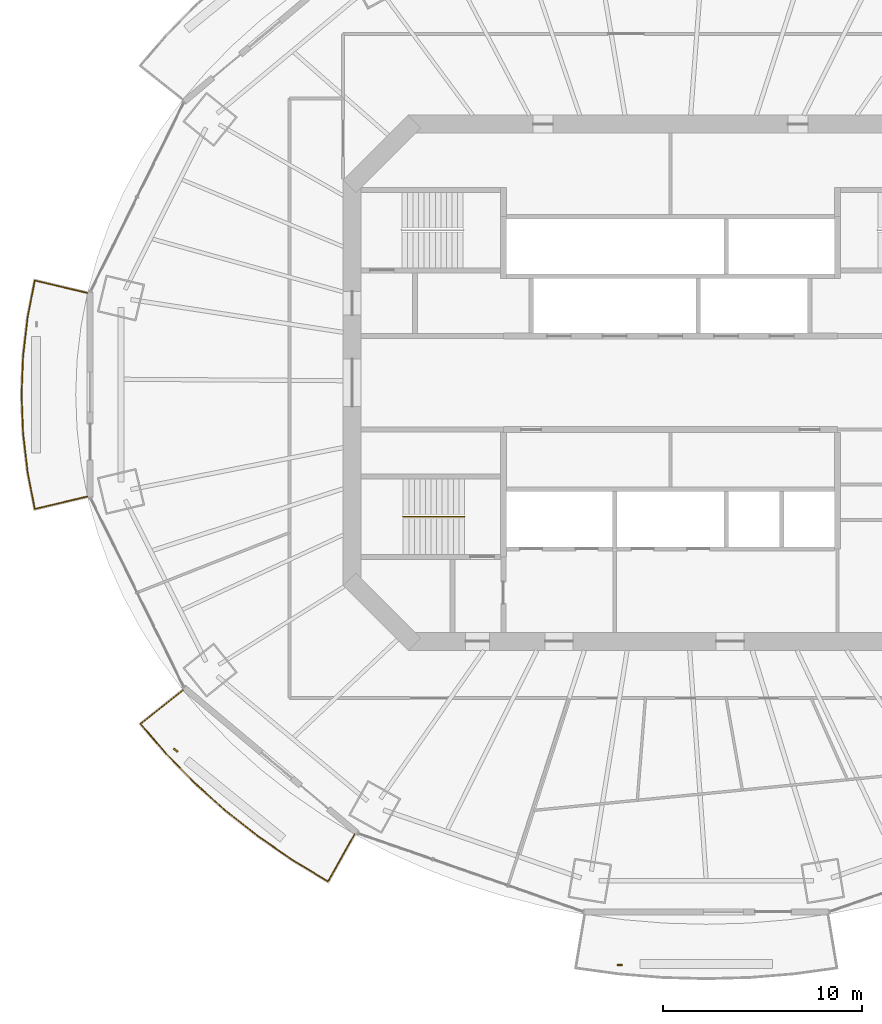
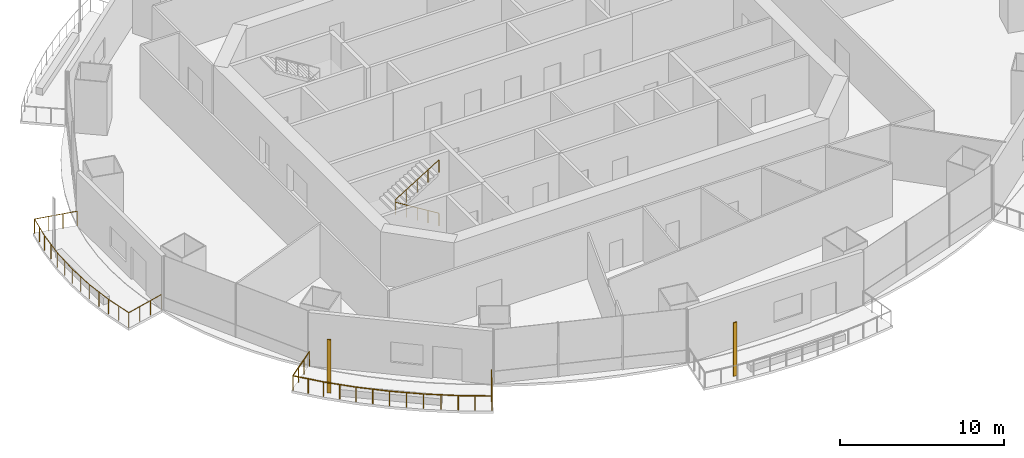
# One storey, part 16 of 21: 3 railings, 2 shading devices.
"""IFC4 building model written with IfcOpenShell, lengths in metres."""

from ifc_helpers import new_model, si_unit, direction, frame, origin, origin_2d, place, context, subcontext, project, spatial, rectangle, circle, extrude, material, material_profile, profile_set, type_object, element, save


model = new_model("IFC4")

# Units and contexts
model_context = context("Model", 3, precision=1e-05, world=origin(), true_north=direction((0.0, 1.0)))
body_context = subcontext(model_context, "Body", "Model", "MODEL_VIEW")
ifc_project = project(units=[si_unit("LENGTHUNIT", "METRE"), si_unit("AREAUNIT", "SQUARE_METRE"), si_unit("VOLUMEUNIT", "CUBIC_METRE"), si_unit("PLANEANGLEUNIT", "RADIAN"), si_unit("MASSUNIT", "GRAM", prefix="KILO")], contexts=[model_context])

# Site, building, storey
site_placement = place(None, origin())
site = spatial("IfcSite", under=ifc_project, at=site_placement, CompositionType="ELEMENT")
building_placement = place(site_placement, origin())
building = spatial("IfcBuilding", under=site, at=building_placement, Name="Marenthal Gate Tower", CompositionType="ELEMENT")
storey_placement = place(building_placement, frame((0.0, 0.0, 198.39990234375)))
storey = spatial("IfcBuildingStorey", under=building, at=storey_placement, Name="L43", CompositionType="ELEMENT", Elevation=198.39990234375)

# Railings
ifc_material_1 = material(Name="Stainless steel", Category="steel")
railing_type_1 = type_object("IfcRailingType", Name="Balcony guard 1100", PredefinedType="GUARDRAIL", material=ifc_material_1)
railing_1_placement = place(storey_placement, frame((-29.301513671875, -5.71435546875, 0.0)))
element("IfcRailing", 1, at=railing_1_placement, inside=storey, type_object=railing_type_1, Name="Balcony guard L43 bay 8", PredefinedType="GUARDRAIL", context=body_context, shape_type="SweptSolid", body=[
    extrude(circle(Radius=0.02392578125, at=origin_2d()), frame((0.0, 0.0, 1.076171875), z_axis=(-0.973008450296, -0.230305293189, -0.014629681524), x_axis=(0.230329942988, -0.973112592336, 0.0)), (0.0, 0.0, 1.0), 2.72021484375),
    extrude(circle(Radius=0.02392578125, at=origin_2d()), frame((-2.646728515625, -0.62646484375, 1.0361328125), z_axis=(-0.191345653043, 0.98152271551, 0.0), x_axis=(-0.98152271551, -0.191345653043, 0.0)), (0.0, 0.0, 1.0), 1.880615234375),
    extrude(circle(Radius=0.02392578125, at=origin_2d()), frame((-3.006591796875, 1.219482421875, 1.0361328125), z_axis=(-0.116457405552, 0.993195687008, 0.0), x_axis=(-0.993195687008, -0.116457405552, 0.0)), (0.0, 0.0, 1.0), 1.9560546875),
    extrude(circle(Radius=0.02392578125, at=origin_2d()), frame((-3.234375, 3.162109375, 1.0361328125), z_axis=(-0.038989839597, 0.999239607105, 0.0), x_axis=(-0.999239607105, -0.038989839597, 0.0)), (0.0, 0.0, 1.0), 1.95361328125),
    extrude(circle(Radius=0.02392578125, at=origin_2d()), frame((-3.310546875, 5.1142578125, 1.0361328125), z_axis=(0.038989839597, 0.999239607105, 0.0), x_axis=(-0.999239607105, 0.038989839597, 0.0)), (0.0, 0.0, 1.0), 1.95361328125),
    extrude(circle(Radius=0.02392578125, at=origin_2d()), frame((-3.234375, 7.06640625, 1.0361328125), z_axis=(0.116442969982, 0.993197379548, 0.0), x_axis=(-0.993197379548, 0.116442969982, 0.0)), (0.0, 0.0, 1.0), 1.956298828125),
    extrude(circle(Radius=0.02392578125, at=origin_2d()), frame((-3.006591796875, 9.00927734375, 1.0361328125), z_axis=(0.191345653043, 0.98152271551, 0.0), x_axis=(-0.98152271551, 0.191345653043, 0.0)), (0.0, 0.0, 1.0), 1.880615234375),
    extrude(circle(Radius=0.02392578125, at=origin_2d()), frame((-2.646728515625, 10.855224609375, 1.0361328125), z_axis=(0.973008450296, -0.230305293189, 0.014629681524), x_axis=(0.230329942988, 0.973112592336, 0.0)), (0.0, 0.0, 1.0), 2.72021484375),
    extrude(circle(Radius=0.02099609375, at=origin_2d()), origin(), (0.0, 0.0, 1.0), 1.052001953125),
    extrude(circle(Radius=0.02099609375, at=origin_2d()), frame((-0.88232421875, -0.208740234375, -0.01318359375)), (0.0, 0.0, 1.0), 1.052001953125),
    extrude(circle(Radius=0.02099609375, at=origin_2d()), frame((-1.764404296875, -0.417724609375, -0.026611328125)), (0.0, 0.0, 1.0), 1.052001953125),
    extrude(circle(Radius=0.02099609375, at=origin_2d()), frame((-2.646728515625, -0.62646484375, -0.039794921875)), (0.0, 0.0, 1.0), 1.052001953125),
    extrude(circle(Radius=0.02099609375, at=origin_2d()), frame((-2.82666015625, 0.29638671875, -0.039794921875)), (0.0, 0.0, 1.0), 1.052001953125),
    extrude(circle(Radius=0.02099609375, at=origin_2d()), frame((-3.006591796875, 1.219482421875, -0.039794921875)), (0.0, 0.0, 1.0), 1.052001953125),
    extrude(circle(Radius=0.02099609375, at=origin_2d()), frame((-3.12060546875, 2.19091796875, -0.039794921875)), (0.0, 0.0, 1.0), 1.052001953125),
    extrude(circle(Radius=0.02099609375, at=origin_2d()), frame((-3.234375, 3.162109375, -0.039794921875)), (0.0, 0.0, 1.0), 1.052001953125),
    extrude(circle(Radius=0.02099609375, at=origin_2d()), frame((-3.2724609375, 4.13818359375, -0.039794921875)), (0.0, 0.0, 1.0), 1.052001953125),
    extrude(circle(Radius=0.02099609375, at=origin_2d()), frame((-3.310546875, 5.1142578125, -0.039794921875)), (0.0, 0.0, 1.0), 1.052001953125),
    extrude(circle(Radius=0.02099609375, at=origin_2d()), frame((-3.2724609375, 6.09033203125, -0.039794921875)), (0.0, 0.0, 1.0), 1.052001953125),
    extrude(circle(Radius=0.02099609375, at=origin_2d()), frame((-3.234375, 7.06640625, -0.039794921875)), (0.0, 0.0, 1.0), 1.052001953125),
    extrude(circle(Radius=0.02099609375, at=origin_2d()), frame((-3.12060546875, 8.037841796875, -0.039794921875)), (0.0, 0.0, 1.0), 1.052001953125),
    extrude(circle(Radius=0.02099609375, at=origin_2d()), frame((-3.006591796875, 9.00927734375, -0.039794921875)), (0.0, 0.0, 1.0), 1.052001953125),
    extrude(circle(Radius=0.02099609375, at=origin_2d()), frame((-2.82666015625, 9.93212890625, -0.039794921875)), (0.0, 0.0, 1.0), 1.052001953125),
    extrude(circle(Radius=0.02099609375, at=origin_2d()), frame((-2.646728515625, 10.855224609375, -0.039794921875)), (0.0, 0.0, 1.0), 1.052001953125),
    extrude(circle(Radius=0.02099609375, at=origin_2d()), frame((-1.764404296875, 10.646484375, -0.026611328125)), (0.0, 0.0, 1.0), 1.052001953125),
    extrude(circle(Radius=0.02099609375, at=origin_2d()), frame((-0.88232421875, 10.4375, -0.01318359375)), (0.0, 0.0, 1.0), 1.052001953125),
    extrude(circle(Radius=0.02099609375, at=origin_2d()), frame((0.0, 10.228759765625, 0.0)), (0.0, 0.0, 1.0), 1.052001953125),
])
railing_2_placement = place(storey_placement, frame((-15.876953125, -22.6904296875, 0.0)))
element("IfcRailing", 2, at=railing_2_placement, inside=storey, type_object=railing_type_1, Name="Balcony guard L43 bay 10", PredefinedType="GUARDRAIL", context=body_context, shape_type="SweptSolid", body=[
    extrude(circle(Radius=0.02392578125, at=origin_2d()), frame((0.0, 0.0, 1.076171875), z_axis=(-0.489586525261, -0.871831990172, -0.014629258225), x_axis=(0.871925297796, -0.48963892315, 0.0)), (0.0, 0.0, 1.0), 2.72021484375),
    extrude(circle(Radius=0.02392578125, at=origin_2d()), frame((-1.331787109375, -2.37158203125, 1.0361328125), z_axis=(-0.856221203989, 0.516609378389, 0.0), x_axis=(-0.516609378389, -0.856221203989, 0.0)), (0.0, 0.0, 1.0), 2.053955078125),
    extrude(circle(Radius=0.02392578125, at=origin_2d()), frame((-3.09033203125, -1.310546875, 1.0361328125), z_axis=(-0.823307575665, 0.56759548611, 0.0), x_axis=(-0.56759548611, -0.823307575665, 0.0)), (0.0, 0.0, 1.0), 2.11669921875),
    extrude(circle(Radius=0.02392578125, at=origin_2d()), frame((-4.8330078125, -0.109130859375, 1.0361328125), z_axis=(-0.785971142181, 0.618263183166, 0.0), x_axis=(-0.618263183166, -0.785971142181, 0.0)), (0.0, 0.0, 1.0), 2.09912109375),
    extrude(circle(Radius=0.02392578125, at=origin_2d()), frame((-6.48291015625, 1.188720703125, 1.0361328125), z_axis=(-0.744476957646, 0.667648155494, 0.0), x_axis=(-0.667648155494, -0.744476957646, 0.0)), (0.0, 0.0, 1.0), 2.081298828125),
    extrude(circle(Radius=0.02392578125, at=origin_2d()), frame((-8.032470703125, 2.578369140625, 1.0361328125), z_axis=(-0.698897192243, 0.715222143585, 0.0), x_axis=(-0.715222143585, -0.698897192243, 0.0)), (0.0, 0.0, 1.0), 2.063720703125),
    extrude(circle(Radius=0.02392578125, at=origin_2d()), frame((-9.474853515625, 4.054443359375, 1.0361328125), z_axis=(-0.650106163754, 0.759843389028, 0.0), x_axis=(-0.759843389028, -0.650106163754, 0.0)), (0.0, 0.0, 1.0), 1.966796875),
    extrude(circle(Radius=0.02392578125, at=origin_2d()), frame((-10.75341796875, 5.548828125, 1.0361328125), z_axis=(0.782777597499, 0.622129592509, 0.014628840678), x_axis=(-0.622196171988, 0.782861369313, 0.0)), (0.0, 0.0, 1.0), 2.72021484375),
    extrude(circle(Radius=0.02099609375, at=origin_2d()), origin(), (0.0, 0.0, 1.0), 1.052001953125),
    extrude(circle(Radius=0.02099609375, at=origin_2d()), frame((-0.44384765625, -0.79052734375, -0.01318359375)), (0.0, 0.0, 1.0), 1.052001953125),
    extrude(circle(Radius=0.02099609375, at=origin_2d()), frame((-0.887939453125, -1.5810546875, -0.026611328125)), (0.0, 0.0, 1.0), 1.052001953125),
    extrude(circle(Radius=0.02099609375, at=origin_2d()), frame((-1.331787109375, -2.37158203125, -0.039794921875)), (0.0, 0.0, 1.0), 1.052001953125),
    extrude(circle(Radius=0.02099609375, at=origin_2d()), frame((-2.2109375, -1.841064453125, -0.039794921875)), (0.0, 0.0, 1.0), 1.052001953125),
    extrude(circle(Radius=0.02099609375, at=origin_2d()), frame((-3.09033203125, -1.310546875, -0.039794921875)), (0.0, 0.0, 1.0), 1.052001953125),
    extrude(circle(Radius=0.02099609375, at=origin_2d()), frame((-3.961669921875, -0.7099609375, -0.039794921875)), (0.0, 0.0, 1.0), 1.052001953125),
    extrude(circle(Radius=0.02099609375, at=origin_2d()), frame((-4.8330078125, -0.109130859375, -0.039794921875)), (0.0, 0.0, 1.0), 1.052001953125),
    extrude(circle(Radius=0.02099609375, at=origin_2d()), frame((-5.657958984375, 0.539794921875, -0.039794921875)), (0.0, 0.0, 1.0), 1.052001953125),
    extrude(circle(Radius=0.02099609375, at=origin_2d()), frame((-6.48291015625, 1.188720703125, -0.039794921875)), (0.0, 0.0, 1.0), 1.052001953125),
    extrude(circle(Radius=0.02099609375, at=origin_2d()), frame((-7.2578125, 1.883544921875, -0.039794921875)), (0.0, 0.0, 1.0), 1.052001953125),
    extrude(circle(Radius=0.02099609375, at=origin_2d()), frame((-8.032470703125, 2.578369140625, -0.039794921875)), (0.0, 0.0, 1.0), 1.052001953125),
    extrude(circle(Radius=0.02099609375, at=origin_2d()), frame((-8.753662109375, 3.31640625, -0.039794921875)), (0.0, 0.0, 1.0), 1.052001953125),
    extrude(circle(Radius=0.02099609375, at=origin_2d()), frame((-9.474853515625, 4.054443359375, -0.039794921875)), (0.0, 0.0, 1.0), 1.052001953125),
    extrude(circle(Radius=0.02099609375, at=origin_2d()), frame((-10.1142578125, 4.8017578125, -0.039794921875)), (0.0, 0.0, 1.0), 1.052001953125),
    extrude(circle(Radius=0.02099609375, at=origin_2d()), frame((-10.75341796875, 5.548828125, -0.039794921875)), (0.0, 0.0, 1.0), 1.052001953125),
    extrude(circle(Radius=0.02099609375, at=origin_2d()), frame((-10.043701171875, 6.113037109375, -0.026611328125)), (0.0, 0.0, 1.0), 1.052001953125),
    extrude(circle(Radius=0.02099609375, at=origin_2d()), frame((-9.333740234375, 6.677001953125, -0.01318359375)), (0.0, 0.0, 1.0), 1.052001953125),
    extrude(circle(Radius=0.02099609375, at=origin_2d()), frame((-8.6240234375, 7.2412109375, 0.0)), (0.0, 0.0, 1.0), 1.052001953125),
])
ifc_material_2 = material(Name="Stainless steel", Category="steel")
railing_type_2 = type_object("IfcRailingType", Name="Stair handrail", PredefinedType="HANDRAIL", material=ifc_material_2)
railing_3_placement = place(storey_placement, frame((-10.35009765625, -6.72509765625, 0.173095703125)))
element("IfcRailing", 3, at=railing_3_placement, inside=storey, type_object=railing_type_2, Name="Handrail ST2", PredefinedType="HANDRAIL", context=body_context, shape_type="SweptSolid", body=[
    extrude(circle(Radius=0.0224609375, at=origin_2d()), frame((0.0, 0.0, 0.927490234375), z_axis=(-0.850816621229, 0.0, 0.525462726595), x_axis=(0.0, -1.0, 0.0)), (0.0, 0.0, 1.0), 3.619873046875),
    extrude(circle(Radius=0.0224609375, at=origin_2d()), frame((-3.079833984375, 0.0, 2.82958984375), z_axis=(0.0, 0.0, 1.0), x_axis=(1.0, 0.0, 0.0)), (0.0, 0.0, 1.0), 0.1728515625),
    extrude(circle(Radius=0.0224609375, at=origin_2d()), frame((-3.079833984375, 0.0, 3.00244140625), z_axis=(0.850816621229, 0.0, 0.525462726595), x_axis=(0.0, 1.0, 0.0)), (0.0, 0.0, 1.0), 3.619873046875),
    extrude(circle(Radius=0.02001953125, at=origin_2d()), origin(), (0.0, 0.0, 1.0), 0.905029296875),
    extrude(circle(Radius=0.02001953125, at=origin_2d()), frame((-0.77001953125, 0.0, 0.4755859375)), (0.0, 0.0, 1.0), 0.905029296875),
    extrude(circle(Radius=0.02001953125, at=origin_2d()), frame((-1.5400390625, 0.0, 0.951171875)), (0.0, 0.0, 1.0), 0.905029296875),
    extrude(circle(Radius=0.02001953125, at=origin_2d()), frame((-2.309814453125, 0.0, 1.426513671875)), (0.0, 0.0, 1.0), 0.905029296875),
    extrude(circle(Radius=0.02001953125, at=origin_2d()), frame((-3.079833984375, 0.0, 1.902099609375)), (0.0, 0.0, 1.0), 0.905029296875),
    extrude(circle(Radius=0.02001953125, at=origin_2d()), frame((-3.079833984375, 0.0, 2.074951171875)), (0.0, 0.0, 1.0), 0.905029296875),
    extrude(circle(Radius=0.02001953125, at=origin_2d()), frame((-2.309814453125, 0.0, 2.550537109375)), (0.0, 0.0, 1.0), 0.905029296875),
    extrude(circle(Radius=0.02001953125, at=origin_2d()), frame((-1.5400390625, 0.0, 3.02587890625)), (0.0, 0.0, 1.0), 0.905029296875),
    extrude(circle(Radius=0.02001953125, at=origin_2d()), frame((-0.77001953125, 0.0, 3.50146484375)), (0.0, 0.0, 1.0), 0.905029296875),
    extrude(circle(Radius=0.02001953125, at=origin_2d()), frame((0.0, 0.0, 3.97705078125)), (0.0, 0.0, 1.0), 0.905029296875),
])

# Shading devices
ifc_material_3 = material(Name="Terracotta", Category="masonry")
ifc_material_profile = material_profile(ifc_material_3, rectangle(XDim=0.25, YDim=0.080078125, at=origin_2d()), Name="Terracotta baguette 250x80")
ifc_profile_set = profile_set([ifc_material_profile], Name="Terracotta")
shading_device_type = type_object("IfcShadingDeviceType", Name="Terracotta BAGUETTE SCREEN 250x80", PredefinedType="USERDEFINED", material=ifc_profile_set)
for number, where, z_axis, x_axis, name in (
    (4, (-24.8701171875, -18.467529296875, -0.039794921875), (0.0, 0.0, 1.0), (0.765704864788, -0.643192086425, 0.0), "Terracotta BAGUETTE L43 bay 10L"),
    (5, (-2.544189453125, -29.260009765625, -0.039794921875), (0.0, 0.0, 1.0), (1.0, 0.0, 0.0), "Terracotta BAGUETTE L43 bay 12L"),
):
    element("IfcShadingDevice", number, at=place(storey_placement, frame(where, z_axis=z_axis, x_axis=x_axis)), inside=storey, type_object=shading_device_type, Name=name, ObjectType="BAGUETTE SCREEN", PredefinedType="USERDEFINED", context=body_context, shape_type="SweptSolid", body=[
        extrude(rectangle(XDim=0.25, YDim=0.080078125, at=origin_2d()), origin(), (0.0, 0.0, 1.0), 3.969970703125),
    ])

save(model, "model.ifc")
